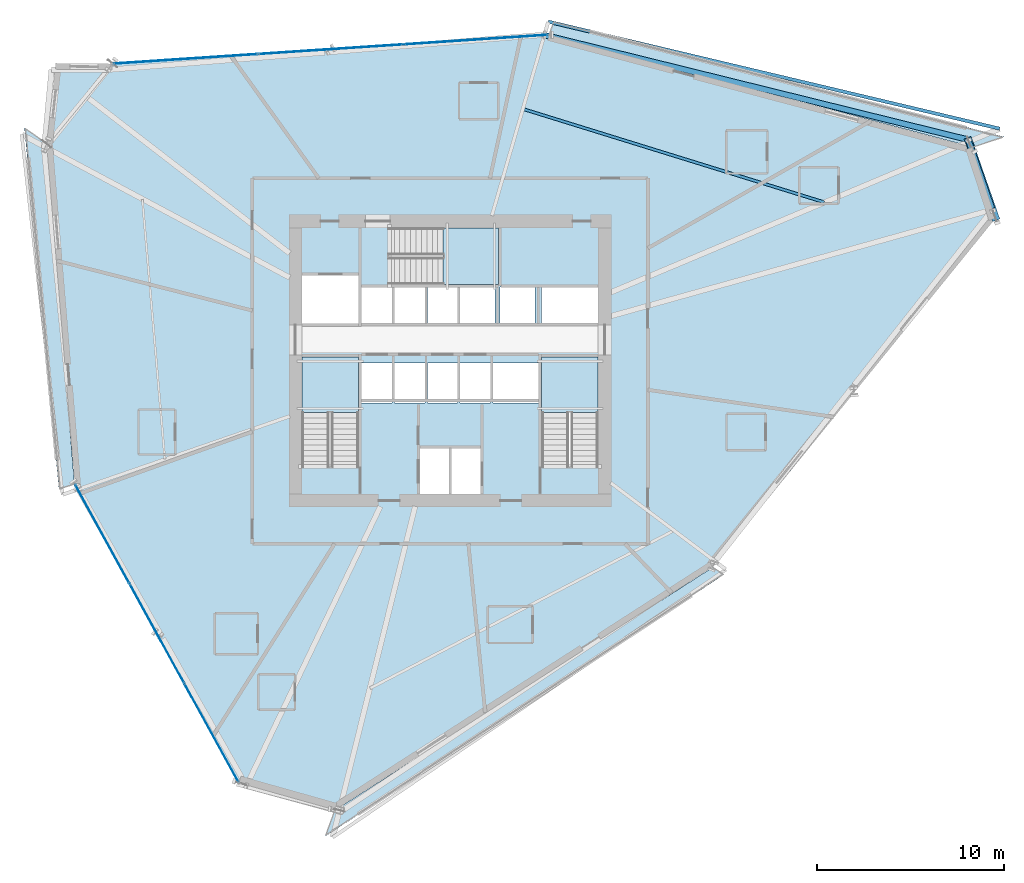
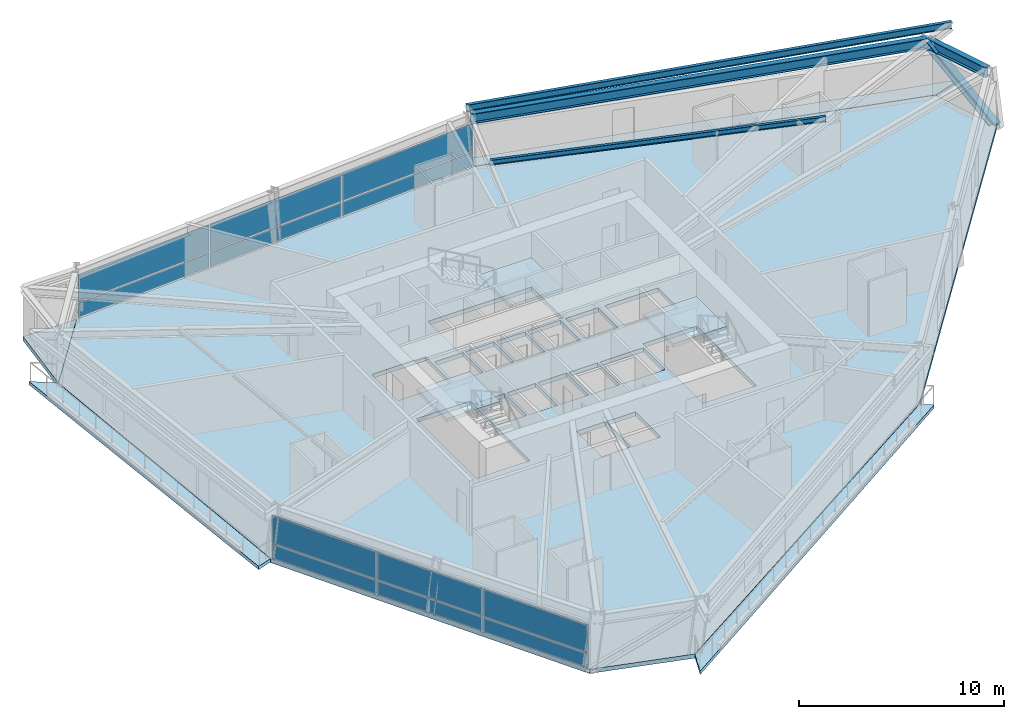
# One storey, part 9 of 21: 12 plates, 8 slabs, 4 beams, 1 member, 5 elements without a shape of their own.
"""IFC4 building model written with IfcOpenShell, lengths in metres."""

from ifc_helpers import new_model, si_unit, direction, frame, origin, origin_2d, place, context, subcontext, project, spatial, polyline, rectangle, i_section, outline, extrude, source, transform, mapped, material, layer, layer_set, material_profile, profile_set, type_object, element, aggregate, save


model = new_model("IFC4")

# Units and contexts
model_context = context("Model", 3, precision=1e-05, world=origin(), true_north=direction((0.0, 1.0)))
body_context = subcontext(model_context, "Body", "Model", "MODEL_VIEW")
ifc_project = project(units=[si_unit("LENGTHUNIT", "METRE"), si_unit("AREAUNIT", "SQUARE_METRE"), si_unit("VOLUMEUNIT", "CUBIC_METRE"), si_unit("PLANEANGLEUNIT", "RADIAN"), si_unit("MASSUNIT", "GRAM", prefix="KILO")], contexts=[model_context])

# Site, building, storey
site_placement = place(None, origin())
site = spatial("IfcSite", under=ifc_project, at=site_placement, CompositionType="ELEMENT")
building_placement = place(site_placement, origin())
building = spatial("IfcBuilding", under=site, at=building_placement, Name="Olszyna Solenne Hotel", CompositionType="ELEMENT")
storey_placement = place(building_placement, frame((0.0, 0.0, 109.25)))
storey = spatial("IfcBuildingStorey", under=building, at=storey_placement, Name="L28", CompositionType="ELEMENT", Elevation=109.25)

# Beams
ifc_material_1 = material(Name="Steel S355J2", Category="steel")
ifc_material_profile_1 = material_profile(ifc_material_1, i_section(OverallWidth=0.300048828125, OverallDepth=0.60009765625, WebThickness=0.015380859375, FlangeThickness=0.030029296875, at=origin_2d()), Name="HEB 600", Category="load-bearing")
ifc_profile_set_1 = profile_set([ifc_material_profile_1], Name="Steel S355J2")
beam_type_1 = type_object("IfcBeamType", Name="BM-S2", PredefinedType="BEAM", material=ifc_profile_set_1)
shared_shape_1 = source(origin(), body_context, "Body", "SweptSolid", [
    extrude(i_section(OverallWidth=0.300048828125, OverallDepth=0.60009765625, WebThickness=0.015380859375, FlangeThickness=0.030029296875, at=origin_2d()), origin(), (0.0, 0.0, 1.0), 3.82177734375),
])
beam_1_placement = place(storey_placement, frame((66.90087890625, 34.73046875, 3.0), z_axis=(-0.326423752824, 0.945223536309, 0.0), x_axis=(-0.945223536309, -0.326423752824, 0.0)))
element("IfcBeam", 1, at=beam_1_placement, inside=storey, type_object=beam_type_1, Name="Perimeter spandrel beam BM-S2 B-L28-0839", PredefinedType="BEAM", context=body_context, shape_type="MappedRepresentation", body=[
    mapped(shared_shape_1, transform((0.0, 0.0, 0.0), x_axis=(1.0, 0.0, 0.0), y_axis=(0.0, 1.0, 0.0), z_axis=(0.0, 0.0, 1.0), scale=1.0)),
])
shared_shape_2 = source(origin(), body_context, "Body", "SweptSolid", [
    extrude(i_section(OverallWidth=0.300048828125, OverallDepth=0.60009765625, WebThickness=0.015380859375, FlangeThickness=0.030029296875, at=origin_2d()), origin(), (0.0, 0.0, 1.0), 23.2021484375),
])
beam_2_placement = place(storey_placement, frame((65.57568359375, 38.414306640625, 3.0), z_axis=(-0.970818920161, 0.239813728249, 0.0), x_axis=(-0.239813728249, -0.970818920161, 0.0)))
element("IfcBeam", 2, at=beam_2_placement, inside=storey, type_object=beam_type_1, Name="Perimeter spandrel beam BM-S2 B-L28-0840", PredefinedType="BEAM", context=body_context, shape_type="MappedRepresentation", body=[
    mapped(shared_shape_2, transform((0.0, 0.0, 0.0), x_axis=(1.0, 0.0, 0.0), y_axis=(0.0, 1.0, 0.0), z_axis=(0.0, 0.0, 1.0), scale=1.0)),
])
ifc_material_profile_2 = material_profile(ifc_material_1, i_section(OverallWidth=0.14990234375, OverallDepth=0.300048828125, WebThickness=0.007080078125, FlangeThickness=0.0107421875, at=origin_2d()), Name="IPE 300", Category="load-bearing")
ifc_profile_set_2 = profile_set([ifc_material_profile_2], Name="Steel S355J2")
beam_type_2 = type_object("IfcBeamType", Name="JS-02", PredefinedType="JOIST", material=ifc_profile_set_2)
shared_shape_3 = source(origin(), body_context, "Body", "SweptSolid", [
    extrude(i_section(OverallWidth=0.14990234375, OverallDepth=0.300048828125, WebThickness=0.007080078125, FlangeThickness=0.0107421875, at=origin_2d()), origin(), (0.0, 0.0, 1.0), 16.806396484375),
])
beam_3_placement = place(storey_placement, frame((57.953125, 35.0634765625, 3.14990234375), z_axis=(-0.955212198401, 0.295921705907, 0.0), x_axis=(-0.295921705907, -0.955212198401, 0.0)))
element("IfcBeam", 3, at=beam_3_placement, inside=storey, type_object=beam_type_2, Name="Secondary composite floor joist JS-02 B-L28-0862", PredefinedType="JOIST", context=body_context, shape_type="MappedRepresentation", body=[
    mapped(shared_shape_3, transform((0.0, 0.0, 0.0), x_axis=(1.0, 0.0, 0.0), y_axis=(0.0, 1.0, 0.0), z_axis=(0.0, 0.0, 1.0), scale=1.0)),
])
ifc_material_profile_3 = material_profile(ifc_material_1, i_section(OverallWidth=0.179931640625, OverallDepth=0.39990234375, WebThickness=0.008544921875, FlangeThickness=0.013427734375, at=origin_2d()), Name="IPE 400", Category="load-bearing")
ifc_profile_set_3 = profile_set([ifc_material_profile_3], Name="Steel S355J2")
beam_type_3 = type_object("IfcBeamType", Name="BM-F5", PredefinedType="BEAM", material=ifc_profile_set_3)
shared_shape_4 = source(origin(), body_context, "Body", "SweptSolid", [
    extrude(i_section(OverallWidth=0.179931640625, OverallDepth=0.39990234375, WebThickness=0.008544921875, FlangeThickness=0.013427734375, at=origin_2d()), origin(), (0.0, 0.0, 1.0), 24.74755859375),
])
beam_4_placement = place(storey_placement, frame((67.314453125, 38.989013671875, 3.10009765625), z_axis=(-0.973018246828, 0.230728176302, 0.0), x_axis=(-0.230728176302, -0.973018246828, 0.0)))
element("IfcBeam", 4, at=beam_4_placement, inside=storey, type_object=beam_type_3, Name="Loggia outer edge beam BM-F5 B-L28-0865", PredefinedType="BEAM", context=body_context, shape_type="MappedRepresentation", body=[
    mapped(shared_shape_4, transform((0.0, 0.0, 0.0), x_axis=(1.0, 0.0, 0.0), y_axis=(0.0, 1.0, 0.0), z_axis=(0.0, 0.0, 1.0), scale=1.0)),
])

# Member
ifc_material_2 = material(Name="Steel S460M", Category="steel")
ifc_material_profile_4 = material_profile(ifc_material_2, i_section(OverallWidth=0.406005859375, OverallDepth=0.416015625, WebThickness=0.026611328125, FlangeThickness=0.04150390625, at=origin_2d()), Name="HD 400x382", Category="load-bearing")
ifc_profile_set_4 = profile_set([ifc_material_profile_4], Name="Steel S460M")
member_type = type_object("IfcMemberType", Name="BR-T2", PredefinedType="BRACE", material=ifc_profile_set_4)
shared_shape_5 = source(origin(), body_context, "Body", "SweptSolid", [
    extrude(i_section(OverallWidth=0.406005859375, OverallDepth=0.416015625, WebThickness=0.026611328125, FlangeThickness=0.04150390625, at=origin_2d()), origin(), (0.0, 0.0, 1.0), 5.32958984375),
])
member_placement = place(storey_placement, frame((67.091552734375, 34.21435546875, 0.010009765625), z_axis=(-0.27351921628, 0.785331342136, 0.555375477838), x_axis=(-0.94436221196, -0.328907300957, 0.0)))
element("IfcMember", 5, at=member_placement, inside=storey, type_object=member_type, Name="Perimeter braced-tube diagonal BR-T2 BR-L28-1", PredefinedType="BRACE", context=body_context, shape_type="MappedRepresentation", body=[
    mapped(shared_shape_5, transform((0.0, 0.0, 0.0), x_axis=(1.0, 0.0, 0.0), y_axis=(0.0, 1.0, 0.0), z_axis=(0.0, 0.0, 1.0), scale=1.0)),
])

# Stair, slab
ifc_material_3 = material(Name="Concrete C40/50", Category="concrete")
stair_type = type_object("IfcStairType", Name="STR-C1", PredefinedType="TWO_QUARTER_WINDING_STAIR", material=ifc_material_3)
stair_1_placement = place(storey_placement, origin())
stair_1 = element("IfcStair", 6, at=stair_1_placement, inside=storey, type_object=stair_type, Name="L28 ST1", PredefinedType="TWO_QUARTER_WINDING_STAIR")
ifc_layer_1 = layer(ifc_material_3, 0.18994140625, Name="Concrete C40/50")
ifc_layer_set_1 = layer_set([ifc_layer_1], Name="Concrete C40/50")
slab_type_1 = type_object("IfcSlabType", Name="SL-LN190", PredefinedType="LANDING", material=ifc_layer_set_1)
slab_1_placement = place(storey_placement, frame((0.0, 0.0, 1.574951171875)))
slab_1 = element("IfcSlab", 7, at=slab_1_placement, type_object=slab_type_1, Name="ST1 landing 1", PredefinedType="LANDING", context=body_context, shape_type="SweptSolid", body=[
    extrude(outline(polyline([(33.1201171875, 23.85009765625), (33.1201171875, 26.800048828125), (30.10009765625, 26.800048828125), (30.10009765625, 23.85009765625), (33.1201171875, 23.85009765625)])), origin(), (0.0, 0.0, 1.0), 0.199951171875),
])
aggregate(stair_1, [slab_1])

stair_2_placement = place(storey_placement, origin())
stair_2 = element("IfcStair", 8, at=stair_2_placement, inside=storey, type_object=stair_type, Name="L28 ST2", PredefinedType="TWO_QUARTER_WINDING_STAIR")
slab_2_placement = place(storey_placement, frame((0.0, 0.0, 1.574951171875)))
slab_2 = element("IfcSlab", 9, at=slab_2_placement, type_object=slab_type_1, Name="ST2 landing 1", PredefinedType="LANDING", context=body_context, shape_type="SweptSolid", body=[
    extrude(outline(polyline([(45.89990234375, 23.85009765625), (45.89990234375, 26.800048828125), (42.8798828125, 26.800048828125), (42.8798828125, 23.85009765625), (45.89990234375, 23.85009765625)])), origin(), (0.0, 0.0, 1.0), 0.199951171875),
])
aggregate(stair_2, [slab_2])

stair_3_placement = place(storey_placement, origin())
stair_3 = element("IfcStair", 10, at=stair_3_placement, inside=storey, type_object=stair_type, Name="L28 ST3", PredefinedType="TWO_QUARTER_WINDING_STAIR")
slab_3_placement = place(storey_placement, frame((0.0, 0.0, 1.574951171875)))
slab_3 = element("IfcSlab", 11, at=slab_3_placement, type_object=slab_type_1, Name="ST3 landing 1", PredefinedType="LANDING", context=body_context, shape_type="SweptSolid", body=[
    extrude(outline(polyline([(37.6298828125, 30.679931640625), (40.580078125, 30.679931640625), (40.580078125, 33.699951171875), (37.6298828125, 33.699951171875), (37.6298828125, 30.679931640625)])), origin(), (0.0, 0.0, 1.0), 0.199951171875),
])
aggregate(stair_3, [slab_3])

# Slabs
ifc_material_4 = material(Name="Precast concrete C45/55", Category="concrete")
ifc_layer_2 = layer(ifc_material_4, 0.199951171875, Name="Precast concrete C45/55")
ifc_layer_set_2 = layer_set([ifc_layer_2], Name="Precast concrete C45/55")
slab_type_2 = type_object("IfcSlabType", Name="SL-LOG200", PredefinedType="FLOOR", material=ifc_layer_set_2)
slab_4_placement = place(storey_placement, frame((0.0, 0.0, -0.199951171875)))
element("IfcSlab", 12, at=slab_4_placement, inside=storey, type_object=slab_type_2, Name="Exterior loggia balcony slab SL-L28-LG1", PredefinedType="FLOOR", context=body_context, shape_type="SweptSolid", body=[
    extrude(outline(polyline([(43.287353515625, 44.01123046875), (65.85546875, 38.010986328125), (65.85693359375, 38.010498046875), (65.858154296875, 38.010009765625), (65.859619140625, 38.00927734375), (65.86083984375, 38.008544921875), (65.86181640625, 38.007568359375), (65.86279296875, 38.00634765625), (65.864013671875, 38.00537109375), (65.864501953125, 38.00390625), (65.865234375, 38.002685546875), (65.86572265625, 38.001220703125), (67.541259765625, 38.559326171875), (43.53564453125, 44.699462890625), (43.287353515625, 44.01123046875)])), origin(), (0.0, 0.0, 1.0), 0.199951171875),
])
slab_5_placement = place(storey_placement, frame((0.0, 0.0, -0.199951171875)))
element("IfcSlab", 13, at=slab_5_placement, inside=storey, type_object=slab_type_2, Name="Exterior loggia balcony slab SL-L28-LG2", PredefinedType="FLOOR", context=body_context, shape_type="SweptSolid", body=[
    extrude(outline(polyline([(17.9658203125, 20.043701171875), (17.965576171875, 20.0439453125), (17.965087890625, 20.04541015625), (17.965087890625, 20.047119140625), (16.464111328125, 38.18701171875), (16.4638671875, 38.1884765625), (16.464111328125, 38.18994140625), (16.46484375, 38.197998046875), (15.2958984375, 39.02978515625), (17.135009765625, 19.76708984375), (17.9658203125, 20.043701171875)])), origin(), (0.0, 0.0, 1.0), 0.199951171875),
])
slab_6_placement = place(storey_placement, frame((0.0, 0.0, -0.199951171875)))
element("IfcSlab", 14, at=slab_6_placement, inside=storey, type_object=slab_type_2, Name="Exterior loggia balcony slab SL-L28-LG3", PredefinedType="FLOOR", context=body_context, shape_type="SweptSolid", body=[
    extrude(outline(polyline([(52.015625, 15.6025390625), (52.014892578125, 15.601806640625), (52.013916015625, 15.6005859375), (52.0126953125, 15.599609375), (52.011474609375, 15.5986328125), (31.86474609375, 2.643310546875), (31.863525390625, 2.642578125), (31.8623046875, 2.64208984375), (31.861083984375, 2.6416015625), (31.859619140625, 2.64111328125), (31.858154296875, 2.64111328125), (31.856689453125, 2.640869140625), (31.85546875, 2.64111328125), (31.85400390625, 2.64111328125), (31.8525390625, 2.6416015625), (31.8515625, 2.641845703125), (31.349853515625, 1.25146484375), (52.5947265625, 15.1904296875), (52.015625, 15.6025390625)])), origin(), (0.0, 0.0, 1.0), 0.199951171875),
])
ifc_material_5 = material(Name="Concrete C50/60", Category="concrete")
ifc_layer_3 = layer(ifc_material_5, 0.25, Name="Concrete C50/60")
ifc_layer_set_3 = layer_set([ifc_layer_3], Name="Concrete C50/60")
slab_type_3 = type_object("IfcSlabType", Name="SL-TW250", PredefinedType="FLOOR", material=ifc_layer_set_3)
slab_7_placement = place(storey_placement, frame((0.0, 0.0, -0.25)))
element("IfcSlab", 15, at=slab_7_placement, inside=storey, type_object=slab_type_3, Name="Floor slab SL-TW250 SL-L28-01", PredefinedType="FLOOR", context=body_context, shape_type="SweptSolid", body=[
    extrude(outline(polyline([(67.091552734375, 34.21435546875), (65.8515625, 37.99658203125), (43.2822265625, 43.9970703125), (19.980224609375, 42.451171875), (16.47900390625, 38.188232421875), (17.97998046875, 20.04833984375), (26.7412109375, 4.09375), (31.856689453125, 2.656005859375), (52.00341796875, 15.611328125), (67.091552734375, 34.21435546875)]), holes=[polyline([(30.10009765625, 20.949951171875), (33.1201171875, 20.949951171875), (33.1201171875, 26.800048828125), (30.10009765625, 26.800048828125), (30.10009765625, 20.949951171875)]), polyline([(42.8798828125, 20.949951171875), (45.89990234375, 20.949951171875), (45.89990234375, 26.800048828125), (42.8798828125, 26.800048828125), (42.8798828125, 20.949951171875)]), polyline([(34.72998046875, 30.679931640625), (40.580078125, 30.679931640625), (40.580078125, 33.699951171875), (34.72998046875, 33.699951171875), (34.72998046875, 30.679931640625)]), polyline([(36.340087890625, 19.5), (37.9599609375, 19.5), (37.9599609375, 21.9599609375), (36.340087890625, 21.9599609375), (36.340087890625, 19.5)]), polyline([(38.0400390625, 19.5), (39.659912109375, 19.5), (39.659912109375, 21.9599609375), (38.0400390625, 21.9599609375), (38.0400390625, 19.5)]), polyline([(30.10009765625, 28.60009765625), (33.1201171875, 28.60009765625), (33.1201171875, 31.159912109375), (30.10009765625, 31.159912109375), (30.10009765625, 28.60009765625)]), polyline([(33.280029296875, 24.360107421875), (34.89990234375, 24.360107421875), (34.89990234375, 26.5), (33.280029296875, 26.5), (33.280029296875, 24.360107421875)]), polyline([(35.030029296875, 24.360107421875), (36.64990234375, 24.360107421875), (36.64990234375, 26.5), (35.030029296875, 26.5), (35.030029296875, 24.360107421875)]), polyline([(36.780029296875, 24.360107421875), (38.39990234375, 24.360107421875), (38.39990234375, 26.5), (36.780029296875, 26.5), (36.780029296875, 24.360107421875)]), polyline([(38.530029296875, 24.360107421875), (40.14990234375, 24.360107421875), (40.14990234375, 26.5), (38.530029296875, 26.5), (38.530029296875, 24.360107421875)]), polyline([(40.280029296875, 24.360107421875), (42.719970703125, 24.360107421875), (42.719970703125, 26.5), (40.280029296875, 26.5), (40.280029296875, 24.360107421875)]), polyline([(33.280029296875, 28.60009765625), (34.89990234375, 28.60009765625), (34.89990234375, 30.550048828125), (33.280029296875, 30.550048828125), (33.280029296875, 28.60009765625)]), polyline([(35.030029296875, 28.60009765625), (36.64990234375, 28.60009765625), (36.64990234375, 30.550048828125), (35.030029296875, 30.550048828125), (35.030029296875, 28.60009765625)]), polyline([(36.780029296875, 28.60009765625), (38.39990234375, 28.60009765625), (38.39990234375, 30.550048828125), (36.780029296875, 30.550048828125), (36.780029296875, 28.60009765625)]), polyline([(38.530029296875, 28.60009765625), (40.389892578125, 28.60009765625), (40.389892578125, 30.550048828125), (38.530029296875, 30.550048828125), (38.530029296875, 28.60009765625)]), polyline([(40.659912109375, 28.60009765625), (42.52001953125, 28.60009765625), (42.52001953125, 30.550048828125), (40.659912109375, 30.550048828125), (40.659912109375, 28.60009765625)]), polyline([(42.8798828125, 28.60009765625), (45.89990234375, 28.60009765625), (45.89990234375, 30.550048828125), (42.8798828125, 30.550048828125), (42.8798828125, 28.60009765625)])]), origin(), (0.0, 0.0, 1.0), 0.25),
])
slab_8_placement = place(storey_placement, frame((0.0, 0.0, -0.25)))
element("IfcSlab", 16, at=slab_8_placement, inside=storey, type_object=slab_type_3, Name="Faceted glass-prism floor slab SL-L28-PR", PredefinedType="FLOOR", context=body_context, shape_type="SweptSolid", body=[
    extrude(outline(polyline([(16.48095703125, 38.20654296875), (19.96728515625, 42.451171875), (16.963134765625, 42.48046875), (16.48095703125, 38.20654296875)])), origin(), (0.0, 0.0, 1.0), 0.25),
])

# Curtain wall, plates
ifc_material_6 = material(Name="Anodised bronze aluminium", Category="aluminium")
curtain_wall_type = type_object("IfcCurtainWallType", Name="CW-SYS-3", PredefinedType="NOTDEFINED", material=ifc_material_6)
curtain_wall_1_placement = place(storey_placement, origin())
curtain_wall_1 = element("IfcCurtainWall", 17, at=curtain_wall_1_placement, inside=storey, type_object=curtain_wall_type, Name="Unitised curtain wall CW-SYS-3 CW-L28-01", PredefinedType="NOTDEFINED")
ifc_material_7 = material(Name="Terracotta cladding", Category="masonry")
plate_type_1 = type_object("IfcPlateType", Name="PN-SP1", PredefinedType="CURTAIN_PANEL", material=ifc_material_7)
shared_shape_6 = source(origin(), body_context, "Body", "SweptSolid", [
    extrude(rectangle(XDim=5.954833984375, YDim=0.035888671875, at=origin_2d()), origin(), (0.0, 0.0, 1.0), 0.83740234375),
])
plate_1_placement = place(storey_placement, frame((19.44921875, 17.372802734375, 0.074951171875), z_axis=(0.0, 0.0, 1.0), x_axis=(0.481337611777, -0.876535283653, 0.0)))
plate_1 = element("IfcPlate", 18, at=plate_1_placement, type_object=plate_type_1, Name="Curtain-wall panel PN-SP1 CP-L28-01-01", PredefinedType="CURTAIN_PANEL", context=body_context, shape_type="MappedRepresentation", body=[
    mapped(shared_shape_6, transform((0.0, 0.0, 0.0), x_axis=(1.0, 0.0, 0.0), y_axis=(0.0, 1.0, 0.0), z_axis=(0.0, 0.0, 1.0), scale=1.0)),
])
plate_2_placement = place(storey_placement, frame((25.27197265625, 6.769287109375, 0.074951171875), z_axis=(0.0, 0.0, 1.0), x_axis=(0.481337611777, -0.876535283653, 0.0)))
plate_2 = element("IfcPlate", 19, at=plate_2_placement, type_object=plate_type_1, Name="Curtain-wall panel PN-SP1 CP-L28-01-05", PredefinedType="CURTAIN_PANEL", context=body_context, shape_type="MappedRepresentation", body=[
    mapped(shared_shape_6, transform((0.0, 0.0, 0.0), x_axis=(1.0, 0.0, 0.0), y_axis=(0.0, 1.0, 0.0), z_axis=(0.0, 0.0, 1.0), scale=1.0)),
])
ifc_material_8 = material(Name="Low-E triple glazing", Category="glass")
plate_type_2 = type_object("IfcPlateType", Name="PN-GL1", PredefinedType="CURTAIN_PANEL", material=ifc_material_8)
shared_shape_7 = source(origin(), body_context, "Body", "SweptSolid", [
    extrude(rectangle(XDim=5.954833984375, YDim=0.035888671875, at=origin_2d()), origin(), (0.0, 0.0, 1.0), 1.62939453125),
])
plate_3_placement = place(storey_placement, frame((19.44921875, 17.372802734375, 0.987548828125), z_axis=(0.0, 0.0, 1.0), x_axis=(0.481337611777, -0.876535283653, 0.0)))
plate_3 = element("IfcPlate", 20, at=plate_3_placement, type_object=plate_type_2, Name="Curtain-wall panel PN-GL1 CP-L28-01-02", PredefinedType="CURTAIN_PANEL", context=body_context, shape_type="MappedRepresentation", body=[
    mapped(shared_shape_7, transform((0.0, 0.0, 0.0), x_axis=(1.0, 0.0, 0.0), y_axis=(0.0, 1.0, 0.0), z_axis=(0.0, 0.0, 1.0), scale=1.0)),
])
plate_4_placement = place(storey_placement, frame((25.27197265625, 6.769287109375, 0.987548828125), z_axis=(0.0, 0.0, 1.0), x_axis=(0.481337611777, -0.876535283653, 0.0)))
plate_4 = element("IfcPlate", 21, at=plate_4_placement, type_object=plate_type_2, Name="Curtain-wall panel PN-GL1 CP-L28-01-06", PredefinedType="CURTAIN_PANEL", context=body_context, shape_type="MappedRepresentation", body=[
    mapped(shared_shape_7, transform((0.0, 0.0, 0.0), x_axis=(1.0, 0.0, 0.0), y_axis=(0.0, 1.0, 0.0), z_axis=(0.0, 0.0, 1.0), scale=1.0)),
])
shared_shape_8 = source(origin(), body_context, "Body", "SweptSolid", [
    extrude(rectangle(XDim=5.9921875, YDim=0.035888671875, at=origin_2d()), origin(), (0.0, 0.0, 1.0), 0.83740234375),
])
plate_5_placement = place(storey_placement, frame((22.360595703125, 12.071044921875, 0.074951171875), z_axis=(0.0, 0.0, 1.0), x_axis=(0.481337611777, -0.876535283653, 0.0)))
plate_5 = element("IfcPlate", 22, at=plate_5_placement, type_object=plate_type_1, Name="Curtain-wall panel PN-SP1 CP-L28-01-03", PredefinedType="CURTAIN_PANEL", context=body_context, shape_type="MappedRepresentation", body=[
    mapped(shared_shape_8, transform((0.0, 0.0, 0.0), x_axis=(1.0, 0.0, 0.0), y_axis=(0.0, 1.0, 0.0), z_axis=(0.0, 0.0, 1.0), scale=1.0)),
])
shared_shape_9 = source(origin(), body_context, "Body", "SweptSolid", [
    extrude(rectangle(XDim=5.9921875, YDim=0.035888671875, at=origin_2d()), origin(), (0.0, 0.0, 1.0), 1.62939453125),
])
plate_6_placement = place(storey_placement, frame((22.360595703125, 12.071044921875, 0.987548828125), z_axis=(0.0, 0.0, 1.0), x_axis=(0.481337611777, -0.876535283653, 0.0)))
plate_6 = element("IfcPlate", 23, at=plate_6_placement, type_object=plate_type_2, Name="Curtain-wall panel PN-GL1 CP-L28-01-04", PredefinedType="CURTAIN_PANEL", context=body_context, shape_type="MappedRepresentation", body=[
    mapped(shared_shape_9, transform((0.0, 0.0, 0.0), x_axis=(1.0, 0.0, 0.0), y_axis=(0.0, 1.0, 0.0), z_axis=(0.0, 0.0, 1.0), scale=1.0)),
])
aggregate(curtain_wall_1, [plate_1, plate_3, plate_5, plate_6, plate_2, plate_4])

curtain_wall_2_placement = place(storey_placement, origin())
curtain_wall_2 = element("IfcCurtainWall", 24, at=curtain_wall_2_placement, inside=storey, type_object=curtain_wall_type, Name="Unitised curtain wall CW-SYS-3 CW-L28-02", PredefinedType="NOTDEFINED")
shared_shape_10 = source(origin(), body_context, "Body", "SweptSolid", [
    extrude(rectangle(XDim=7.671875, YDim=0.035888671875, at=origin_2d()), origin(), (0.0, 0.0, 1.0), 0.83740234375),
])
plate_7_placement = place(storey_placement, frame((23.882568359375, 42.7099609375, 0.074951171875), z_axis=(0.0, 0.0, 1.0), x_axis=(0.997806346692, 0.06620041164, 0.0)))
plate_7 = element("IfcPlate", 25, at=plate_7_placement, type_object=plate_type_1, Name="Curtain-wall panel PN-SP1 CP-L28-02-01", PredefinedType="CURTAIN_PANEL", context=body_context, shape_type="MappedRepresentation", body=[
    mapped(shared_shape_10, transform((0.0, 0.0, 0.0), x_axis=(1.0, 0.0, 0.0), y_axis=(0.0, 1.0, 0.0), z_axis=(0.0, 0.0, 1.0), scale=1.0)),
])
plate_8_placement = place(storey_placement, frame((39.3798828125, 43.73828125, 0.074951171875), z_axis=(0.0, 0.0, 1.0), x_axis=(0.997806346692, 0.06620041164, 0.0)))
plate_8 = element("IfcPlate", 26, at=plate_8_placement, type_object=plate_type_1, Name="Curtain-wall panel PN-SP1 CP-L28-02-05", PredefinedType="CURTAIN_PANEL", context=body_context, shape_type="MappedRepresentation", body=[
    mapped(shared_shape_10, transform((0.0, 0.0, 0.0), x_axis=(1.0, 0.0, 0.0), y_axis=(0.0, 1.0, 0.0), z_axis=(0.0, 0.0, 1.0), scale=1.0)),
])
shared_shape_11 = source(origin(), body_context, "Body", "SweptSolid", [
    extrude(rectangle(XDim=7.671875, YDim=0.035888671875, at=origin_2d()), origin(), (0.0, 0.0, 1.0), 1.62939453125),
])
plate_9_placement = place(storey_placement, frame((23.882568359375, 42.7099609375, 0.987548828125), z_axis=(0.0, 0.0, 1.0), x_axis=(0.997806346692, 0.06620041164, 0.0)))
plate_9 = element("IfcPlate", 27, at=plate_9_placement, type_object=plate_type_2, Name="Curtain-wall panel PN-GL1 CP-L28-02-02", PredefinedType="CURTAIN_PANEL", context=body_context, shape_type="MappedRepresentation", body=[
    mapped(shared_shape_11, transform((0.0, 0.0, 0.0), x_axis=(1.0, 0.0, 0.0), y_axis=(0.0, 1.0, 0.0), z_axis=(0.0, 0.0, 1.0), scale=1.0)),
])
plate_10_placement = place(storey_placement, frame((39.3798828125, 43.73828125, 0.987548828125), z_axis=(0.0, 0.0, 1.0), x_axis=(0.997806346692, 0.06620041164, 0.0)))
plate_10 = element("IfcPlate", 28, at=plate_10_placement, type_object=plate_type_2, Name="Curtain-wall panel PN-GL1 CP-L28-02-06", PredefinedType="CURTAIN_PANEL", context=body_context, shape_type="MappedRepresentation", body=[
    mapped(shared_shape_11, transform((0.0, 0.0, 0.0), x_axis=(1.0, 0.0, 0.0), y_axis=(0.0, 1.0, 0.0), z_axis=(0.0, 0.0, 1.0), scale=1.0)),
])
shared_shape_12 = source(origin(), body_context, "Body", "SweptSolid", [
    extrude(rectangle(XDim=7.70947265625, YDim=0.035888671875, at=origin_2d()), origin(), (0.0, 0.0, 1.0), 0.83740234375),
])
plate_11_placement = place(storey_placement, frame((31.63134765625, 43.22412109375, 0.074951171875), z_axis=(0.0, 0.0, 1.0), x_axis=(0.997806346692, 0.06620041164, 0.0)))
plate_11 = element("IfcPlate", 29, at=plate_11_placement, type_object=plate_type_1, Name="Curtain-wall panel PN-SP1 CP-L28-02-03", PredefinedType="CURTAIN_PANEL", context=body_context, shape_type="MappedRepresentation", body=[
    mapped(shared_shape_12, transform((0.0, 0.0, 0.0), x_axis=(1.0, 0.0, 0.0), y_axis=(0.0, 1.0, 0.0), z_axis=(0.0, 0.0, 1.0), scale=1.0)),
])
shared_shape_13 = source(origin(), body_context, "Body", "SweptSolid", [
    extrude(rectangle(XDim=7.70947265625, YDim=0.035888671875, at=origin_2d()), origin(), (0.0, 0.0, 1.0), 1.62939453125),
])
plate_12_placement = place(storey_placement, frame((31.63134765625, 43.22412109375, 0.987548828125), z_axis=(0.0, 0.0, 1.0), x_axis=(0.997806346692, 0.06620041164, 0.0)))
plate_12 = element("IfcPlate", 30, at=plate_12_placement, type_object=plate_type_2, Name="Curtain-wall panel PN-GL1 CP-L28-02-04", PredefinedType="CURTAIN_PANEL", context=body_context, shape_type="MappedRepresentation", body=[
    mapped(shared_shape_13, transform((0.0, 0.0, 0.0), x_axis=(1.0, 0.0, 0.0), y_axis=(0.0, 1.0, 0.0), z_axis=(0.0, 0.0, 1.0), scale=1.0)),
])
aggregate(curtain_wall_2, [plate_7, plate_9, plate_11, plate_12, plate_8, plate_10])

save(model, "model.ifc")
